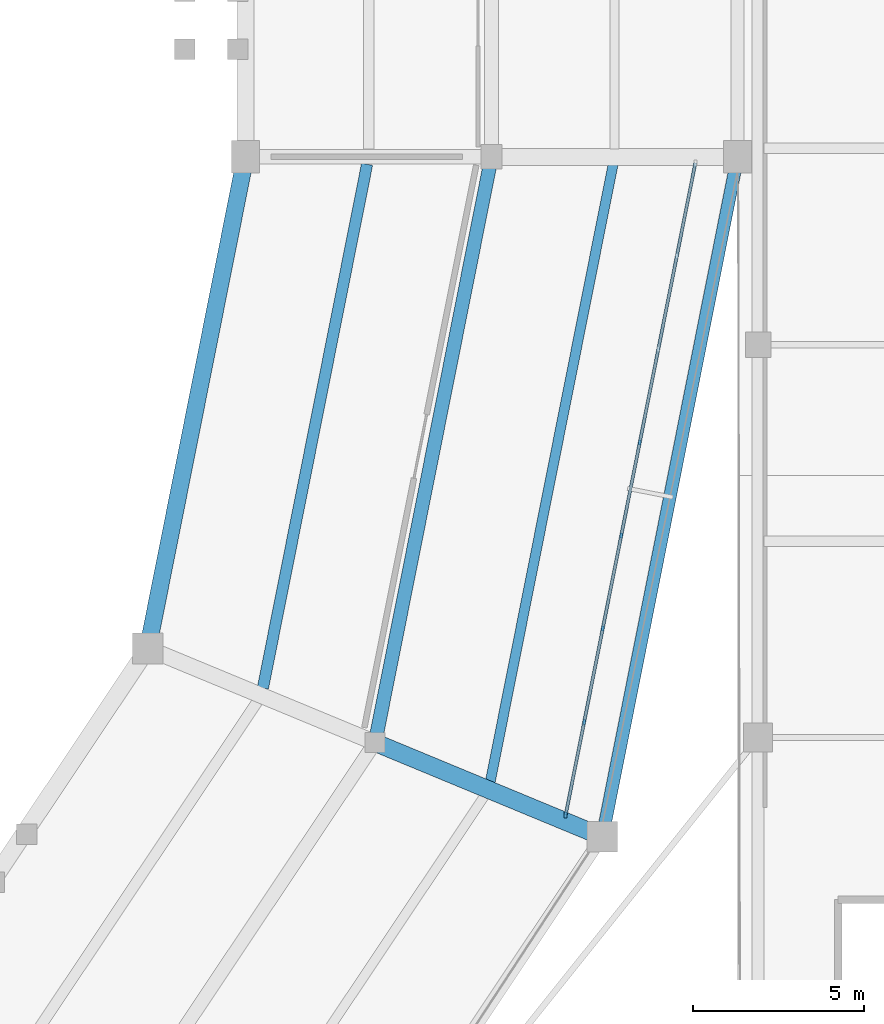
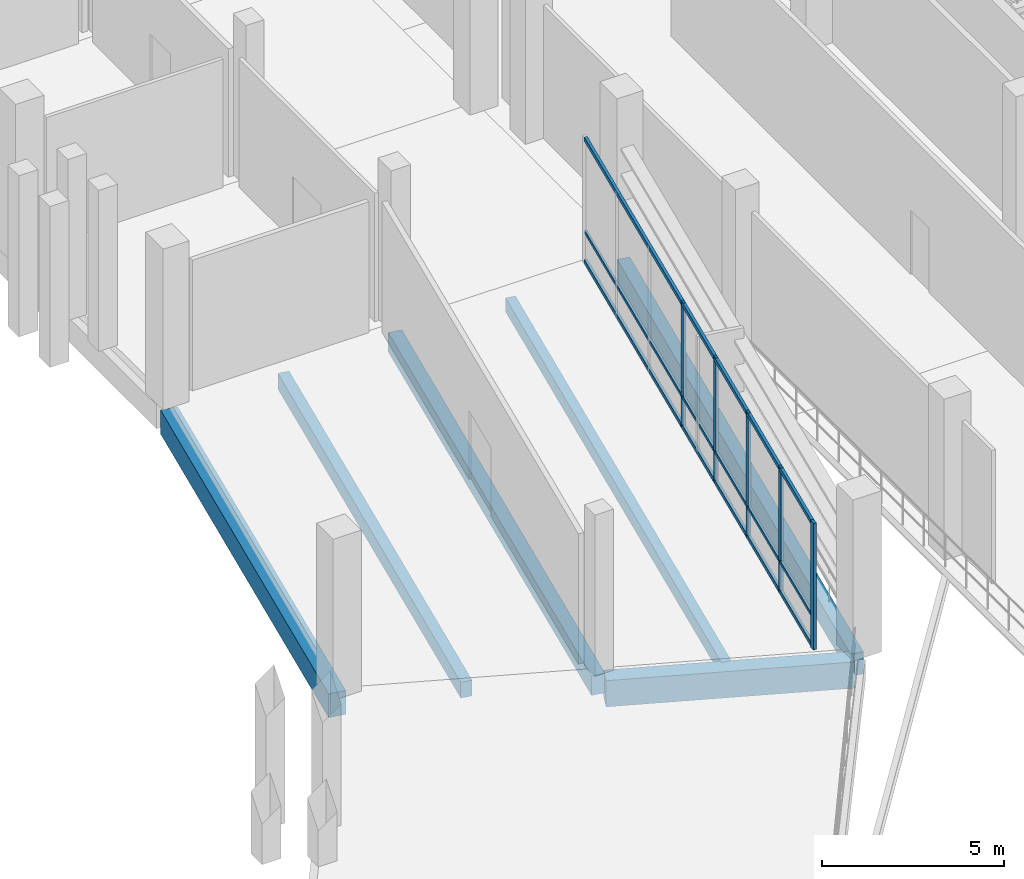
# One storey, part 38 of 114: 8 members, 6 beams, 1 element without a shape of its own.
"""IFC4 building model written with IfcOpenShell, lengths in metres."""

from ifc_helpers import new_model, si_unit, direction, frame, origin, origin_2d, place, context, subcontext, project, spatial, rectangle, extrude, material, material_profile, profile_set, type_object, element, aggregate, save


model = new_model("IFC4")

# Units and contexts
model_context = context("Model", 3, precision=1e-05, world=origin(), true_north=direction((0.0, 1.0)))
body_context = subcontext(model_context, "Body", "Model", "MODEL_VIEW")
ifc_project = project(units=[si_unit("LENGTHUNIT", "METRE"), si_unit("AREAUNIT", "SQUARE_METRE"), si_unit("VOLUMEUNIT", "CUBIC_METRE"), si_unit("PLANEANGLEUNIT", "RADIAN"), si_unit("MASSUNIT", "GRAM", prefix="KILO")], contexts=[model_context])

# Site, building, storey
site_placement = place(None, origin())
site = spatial("IfcSite", under=ifc_project, at=site_placement, CompositionType="ELEMENT")
building_placement = place(site_placement, origin())
building = spatial("IfcBuilding", under=site, at=building_placement, Name="Candeia Ridge Stadium", CompositionType="ELEMENT")
storey_placement = place(building_placement, frame((0.0, 0.0, 5.39990234375)))
storey = spatial("IfcBuildingStorey", under=building, at=storey_placement, Name="L01", CompositionType="ELEMENT", Elevation=5.39990234375)

# Curtain wall, members
ifc_material_1 = material(Name="Aluminium Anodized Warm Bronze", Category="aluminium")
curtain_wall_type = type_object("IfcCurtainWallType", Name="Concourse Recessed Unitised Curtain Wall", PredefinedType="NOTDEFINED", material=ifc_material_1)
curtain_wall_placement = place(storey_placement, origin())
curtain_wall = element("IfcCurtainWall", 1, at=curtain_wall_placement, inside=storey, type_object=curtain_wall_type, Name="Unitised curtain wall CW-BWL-L01-28", PredefinedType="NOTDEFINED")
ifc_material_profile_1 = material_profile(ifc_material_1, rectangle(XDim=0.090087890625, YDim=0.179931640625, at=origin_2d()), Name="CWM-90x180", Category="aluminium")
ifc_profile_set_1 = profile_set([ifc_material_profile_1], Name="Aluminium Anodized Warm Bronze")
member_type_1 = type_object("IfcMemberType", Name="Curtain Wall Primary Mullion 90x180", PredefinedType="MULLION", material=ifc_profile_set_1)
member_1_placement = place(storey_placement, frame((187.96826171875, 51.736083984375, 0.0), z_axis=(0.0, 0.0, 1.0), x_axis=(1.0, 0.0, 0.0)))
member_1 = element("IfcMember", 2, at=member_1_placement, type_object=member_type_1, Name="Curtain wall mullion CW-BWL-L01-28-M0", PredefinedType="MULLION", context=body_context, shape_type="SweptSolid", body=[
    extrude(rectangle(XDim=0.090087890625, YDim=0.179931640625, at=origin_2d()), origin(), (0.0, 0.0, 1.0), 4.2451171875),
])
ifc_material_profile_2 = material_profile(ifc_material_1, rectangle(XDim=0.074951171875, YDim=0.14990234375, at=origin_2d()), Name="CWM-75x150", Category="aluminium")
ifc_profile_set_2 = profile_set([ifc_material_profile_2], Name="Aluminium Anodized Warm Bronze")
member_type_2 = type_object("IfcMemberType", Name="Curtain Wall Secondary Mullion 75x150", PredefinedType="MULLION", material=ifc_profile_set_2)
member_2_placement = place(storey_placement, frame((188.510498046875, 54.462890625, 0.0), z_axis=(0.0, 0.0, 1.0), x_axis=(1.0, 0.0, 0.0)))
member_2 = element("IfcMember", 3, at=member_2_placement, type_object=member_type_2, Name="Curtain wall mullion CW-BWL-L01-28-M1", PredefinedType="MULLION", context=body_context, shape_type="SweptSolid", body=[
    extrude(rectangle(XDim=0.074951171875, YDim=0.14990234375, at=origin_2d()), origin(), (0.0, 0.0, 1.0), 4.2451171875),
])
member_3_placement = place(storey_placement, frame((189.052978515625, 57.189697265625, 0.0), z_axis=(0.0, 0.0, 1.0), x_axis=(1.0, 0.0, 0.0)))
member_3 = element("IfcMember", 4, at=member_3_placement, type_object=member_type_2, Name="Curtain wall mullion CW-BWL-L01-28-M2", PredefinedType="MULLION", context=body_context, shape_type="SweptSolid", body=[
    extrude(rectangle(XDim=0.074951171875, YDim=0.14990234375, at=origin_2d()), origin(), (0.0, 0.0, 1.0), 4.2451171875),
])
member_4_placement = place(storey_placement, frame((189.595458984375, 59.91650390625, 0.0), z_axis=(0.0, 0.0, 1.0), x_axis=(1.0, 0.0, 0.0)))
member_4 = element("IfcMember", 5, at=member_4_placement, type_object=member_type_2, Name="Curtain wall mullion CW-BWL-L01-28-M3", PredefinedType="MULLION", context=body_context, shape_type="SweptSolid", body=[
    extrude(rectangle(XDim=0.074951171875, YDim=0.14990234375, at=origin_2d()), origin(), (0.0, 0.0, 1.0), 4.2451171875),
])
member_5_placement = place(storey_placement, frame((190.1376953125, 62.643310546875, 0.0), z_axis=(0.0, 0.0, 1.0), x_axis=(1.0, 0.0, 0.0)))
member_5 = element("IfcMember", 6, at=member_5_placement, type_object=member_type_2, Name="Curtain wall mullion CW-BWL-L01-28-M4", PredefinedType="MULLION", context=body_context, shape_type="SweptSolid", body=[
    extrude(rectangle(XDim=0.074951171875, YDim=0.14990234375, at=origin_2d()), origin(), (0.0, 0.0, 1.0), 4.2451171875),
])
ifc_material_profile_3 = material_profile(ifc_material_1, rectangle(XDim=0.074951171875, YDim=0.110107421875, at=origin_2d()), Name="CWT-75x110", Category="aluminium")
ifc_profile_set_3 = profile_set([ifc_material_profile_3], Name="Aluminium Anodized Warm Bronze")
member_type_3 = type_object("IfcMemberType", Name="Curtain Wall Secondary Transom 75x110", PredefinedType="USERDEFINED", material=ifc_profile_set_3)
member_6_placement = place(storey_placement, frame((187.96826171875, 51.736083984375, 1.061279296875), z_axis=(0.195085896803, 0.980786160623, 0.0), x_axis=(-0.980786160623, 0.195085896803, 0.0)))
member_6 = element("IfcMember", 7, at=member_6_placement, type_object=member_type_3, Name="Curtain wall transom CW-BWL-L01-28-T1", ObjectType="TRANSOM", PredefinedType="USERDEFINED", context=body_context, shape_type="SweptSolid", body=[
    extrude(rectangle(XDim=0.074951171875, YDim=0.110107421875, at=origin_2d()), origin(), (0.0, 0.0, 1.0), 19.46142578125),
])
ifc_material_profile_4 = material_profile(ifc_material_1, rectangle(XDim=0.090087890625, YDim=0.139892578125, at=origin_2d()), Name="CWT-90x140", Category="aluminium")
ifc_profile_set_4 = profile_set([ifc_material_profile_4], Name="Aluminium Anodized Warm Bronze")
member_type_4 = type_object("IfcMemberType", Name="Curtain Wall Transom 90x140", PredefinedType="USERDEFINED", material=ifc_profile_set_4)
member_7_placement = place(storey_placement, frame((187.96826171875, 51.736083984375, 0.070068359375), z_axis=(0.195085896803, 0.980786160623, 0.0), x_axis=(-0.980786160623, 0.195085896803, 0.0)))
member_7 = element("IfcMember", 8, at=member_7_placement, type_object=member_type_4, Name="Curtain wall transom CW-BWL-L01-28-T0", ObjectType="TRANSOM", PredefinedType="USERDEFINED", context=body_context, shape_type="SweptSolid", body=[
    extrude(rectangle(XDim=0.090087890625, YDim=0.139892578125, at=origin_2d()), origin(), (0.0, 0.0, 1.0), 19.46142578125),
])
member_8_placement = place(storey_placement, frame((187.96826171875, 51.736083984375, 4.175048828125), z_axis=(0.195085896803, 0.980786160623, 0.0), x_axis=(-0.980786160623, 0.195085896803, 0.0)))
member_8 = element("IfcMember", 9, at=member_8_placement, type_object=member_type_4, Name="Curtain wall transom CW-BWL-L01-28-T2", ObjectType="TRANSOM", PredefinedType="USERDEFINED", context=body_context, shape_type="SweptSolid", body=[
    extrude(rectangle(XDim=0.090087890625, YDim=0.139892578125, at=origin_2d()), origin(), (0.0, 0.0, 1.0), 19.46142578125),
])
aggregate(curtain_wall, [member_1, member_2, member_3, member_4, member_5, member_7, member_6, member_8])

# Beams
ifc_material_2 = material(Name="Concrete C40/50", Category="concrete")
ifc_material_profile_5 = material_profile(ifc_material_2, rectangle(XDim=0.2900390625, YDim=0.469970703125, at=origin_2d()), Name="RC290x470", Category="concrete")
ifc_profile_set_5 = profile_set([ifc_material_profile_5], Name="Concrete C40/50")
beam_type_1 = type_object("IfcBeamType", Name="Floor Joist RC290x470", PredefinedType="JOIST", material=ifc_profile_set_5)
beam_1_placement = place(storey_placement, frame((185.759033203125, 52.69580078125, -0.494873046875), z_axis=(0.195092537954, 0.980784839623, 0.0), x_axis=(-0.980784839623, 0.195092537954, 0.0)))
element("IfcBeam", 10, at=beam_1_placement, inside=storey, type_object=beam_type_1, Name="Concourse secondary joist BM-L01-0206", PredefinedType="JOIST", context=body_context, shape_type="SweptSolid", body=[
    extrude(rectangle(XDim=0.2900390625, YDim=0.469970703125, at=origin_2d()), origin(), (0.0, 0.0, 1.0), 18.440673828125),
])
ifc_material_profile_6 = material_profile(ifc_material_2, rectangle(XDim=0.330078125, YDim=0.530029296875, at=origin_2d()), Name="RC330x530", Category="concrete")
ifc_profile_set_6 = profile_set([ifc_material_profile_6], Name="Concrete C40/50")
beam_type_2 = type_object("IfcBeamType", Name="Floor Joist RC330x530", PredefinedType="JOIST", material=ifc_profile_set_6)
beam_2_placement = place(storey_placement, frame((179.107177734375, 55.451171875, -0.52490234375), z_axis=(0.195091809076, 0.980784984607, 0.0), x_axis=(-0.980784984607, 0.195091809076, 0.0)))
element("IfcBeam", 11, at=beam_2_placement, inside=storey, type_object=beam_type_2, Name="Concourse secondary joist BM-L01-0205", PredefinedType="JOIST", context=body_context, shape_type="SweptSolid", body=[
    extrude(rectangle(XDim=0.330078125, YDim=0.530029296875, at=origin_2d()), origin(), (0.0, 0.0, 1.0), 15.63134765625),
])
ifc_material_profile_7 = material_profile(ifc_material_2, rectangle(XDim=0.5, YDim=0.800048828125, at=origin_2d()), Name="RC500x800", Category="concrete")
ifc_profile_set_7 = profile_set([ifc_material_profile_7], Name="Concrete C40/50")
beam_type_3 = type_object("IfcBeamType", Name="Frame Girder RC500x800", PredefinedType="BEAM", material=ifc_profile_set_7)
beam_3_placement = place(storey_placement, frame((175.76904296875, 56.76806640625, -0.659912109375), z_axis=(0.195098555341, 0.980783642657, 0.0), x_axis=(-0.980783642657, 0.195098555341, 0.0)))
element("IfcBeam", 12, at=beam_3_placement, inside=storey, type_object=beam_type_3, Name="Bowl inner ring girder BM-L01-0202", PredefinedType="BEAM", context=body_context, shape_type="SweptSolid", body=[
    extrude(rectangle(XDim=0.5, YDim=0.800048828125, at=origin_2d()), origin(), (0.0, 0.0, 1.0), 14.350830078125),
])
ifc_material_3 = material(Name="Concrete C45/55", Category="concrete")
ifc_material_profile_8 = material_profile(ifc_material_3, rectangle(XDim=0.52001953125, YDim=0.8798828125, at=origin_2d()), Name="RC520x880", Category="concrete")
ifc_profile_set_8 = profile_set([ifc_material_profile_8], Name="Concrete C45/55")
beam_type_4 = type_object("IfcBeamType", Name="Frame Girder RC520x880", PredefinedType="BEAM", material=ifc_profile_set_8)
beam_4_placement = place(storey_placement, frame((182.53759765625, 53.79443359375, -0.699951171875), z_axis=(0.923880161031, -0.382681914982, 0.0), x_axis=(0.382681914982, 0.923880161031, 0.0)))
element("IfcBeam", 13, at=beam_4_placement, inside=storey, type_object=beam_type_4, Name="Bowl radial girder BM-L01-0058", PredefinedType="BEAM", context=body_context, shape_type="SweptSolid", body=[
    extrude(rectangle(XDim=0.52001953125, YDim=0.8798828125, at=origin_2d()), origin(), (0.0, 0.0, 1.0), 6.8798828125),
])
ifc_material_profile_9 = material_profile(ifc_material_3, rectangle(XDim=0.3701171875, YDim=0.739990234375, at=origin_2d()), Name="RC370x740", Category="concrete")
ifc_profile_set_9 = profile_set([ifc_material_profile_9], Name="Concrete C45/55")
beam_type_5 = type_object("IfcBeamType", Name="Spandrel Beam RC370x740", PredefinedType="SPANDREL", material=ifc_profile_set_9)
beam_5_placement = place(storey_placement, frame((189.072998046875, 51.25732421875, -0.6298828125), z_axis=(0.195086242929, 0.980786091775, 0.0), x_axis=(-0.980786091775, 0.195086242929, 0.0)))
element("IfcBeam", 14, at=beam_5_placement, inside=storey, type_object=beam_type_5, Name="Bowl perimeter spandrel BM-L01-0204", PredefinedType="SPANDREL", context=body_context, shape_type="SweptSolid", body=[
    extrude(rectangle(XDim=0.3701171875, YDim=0.739990234375, at=origin_2d()), origin(), (0.0, 0.0, 1.0), 19.969482421875),
])
ifc_material_profile_10 = material_profile(ifc_material_2, rectangle(XDim=0.39990234375, YDim=0.64990234375, at=origin_2d()), Name="RC400x650", Category="concrete")
ifc_profile_set_10 = profile_set([ifc_material_profile_10], Name="Concrete C40/50")
beam_type_6 = type_object("IfcBeamType", Name="Wing Primary Girder RC400x650", PredefinedType="BEAM", material=ifc_profile_set_10)
beam_6_placement = place(storey_placement, frame((182.399658203125, 53.90478515625, -0.5849609375), z_axis=(0.195086803319, 0.980785980309, 0.0), x_axis=(-0.980785980309, 0.195086803319, 0.0)))
element("IfcBeam", 15, at=beam_6_placement, inside=storey, type_object=beam_type_6, Name="Concourse spine girder BM-L01-0203", PredefinedType="BEAM", context=body_context, shape_type="SweptSolid", body=[
    extrude(rectangle(XDim=0.39990234375, YDim=0.64990234375, at=origin_2d()), origin(), (0.0, 0.0, 1.0), 17.380126953125),
])

save(model, "model.ifc")
